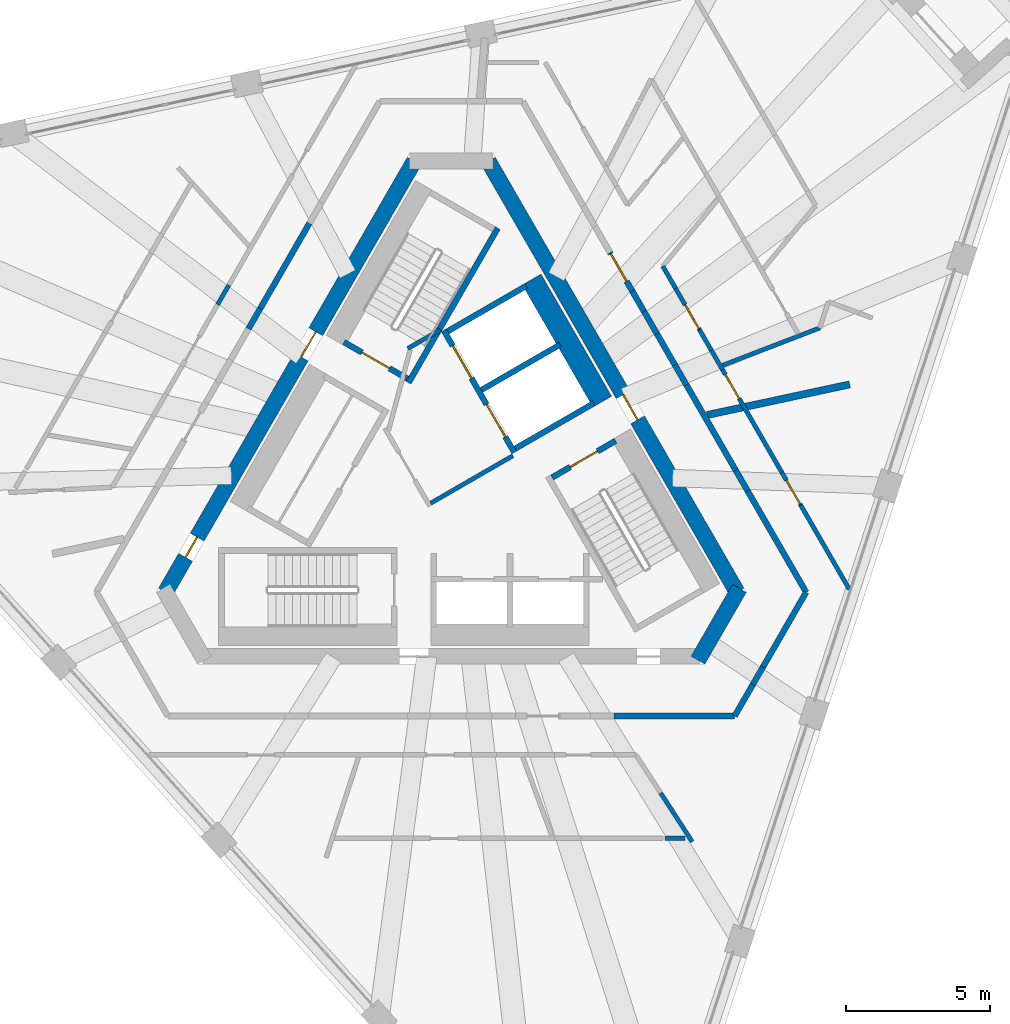
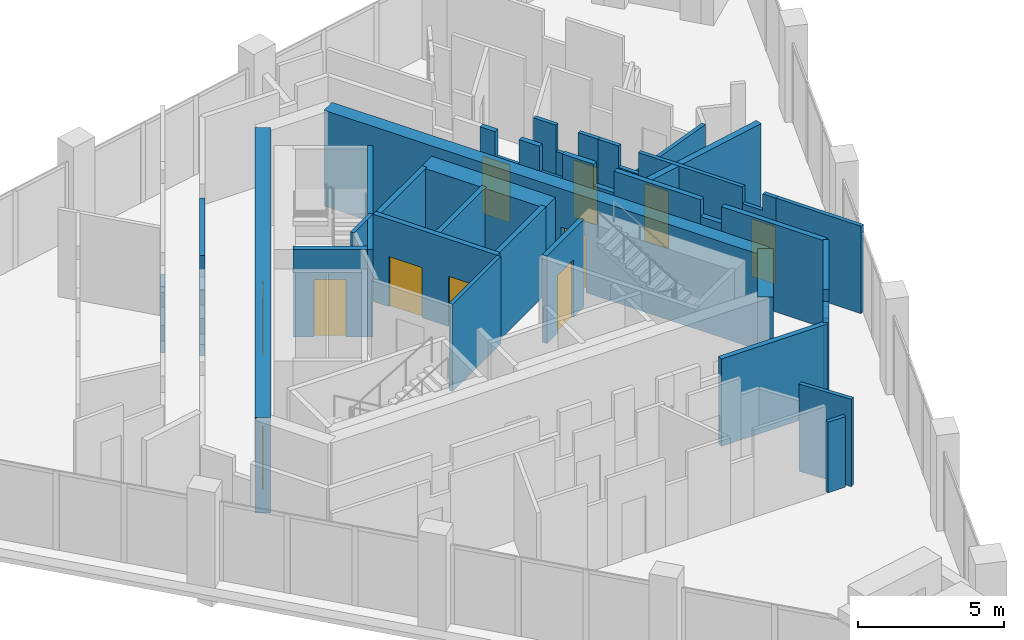
# One storey, part 12 of 17: 39 walls, 11 doors, 11 openings.
"""IFC4 building model written with IfcOpenShell, lengths in metres."""

from ifc_helpers import new_model, si_unit, direction, frame, frame_2d, origin, place, context, subcontext, project, spatial, polyline, rectangle, outline, extrude, material, layer, layer_set, type_object, element, fill, save


model = new_model("IFC4")

# Units and contexts
model_context = context("Model", 3, precision=1e-05, world=origin(), true_north=direction((0.0, 1.0)))
body_context = subcontext(model_context, "Body", "Model", "MODEL_VIEW")
ifc_project = project(units=[si_unit("LENGTHUNIT", "METRE"), si_unit("AREAUNIT", "SQUARE_METRE"), si_unit("VOLUMEUNIT", "CUBIC_METRE"), si_unit("PLANEANGLEUNIT", "RADIAN"), si_unit("MASSUNIT", "GRAM", prefix="KILO")], contexts=[model_context])

# Site, building, storey
site_placement = place(None, origin())
site = spatial("IfcSite", under=ifc_project, at=site_placement, CompositionType="ELEMENT")
building_placement = place(site_placement, origin())
building = spatial("IfcBuilding", under=site, at=building_placement, Name="Tramontana Tower", CompositionType="ELEMENT")
storey_placement = place(building_placement, frame((0.0, 0.0, 348.39990234375)))
storey = spatial("IfcBuildingStorey", under=building, at=storey_placement, Name="L80", CompositionType="ELEMENT", Elevation=348.39990234375)

# Wall, openings, doors
ifc_material_1 = material(Name="Concrete 70 MPa", Category="concrete")
ifc_layer_1 = layer(ifc_material_1, 0.550048828125)
ifc_layer_set_1 = layer_set([ifc_layer_1], Name="Core wall 550 70 MPa")
wall_type_1 = type_object("IfcWallType", Name="Core wall 550 70 MPa", PredefinedType="SHEAR", material=ifc_layer_set_1)
wall_1_placement = place(storey_placement, frame((-1.28466796875, 10.72509765625, 0.0), z_axis=(0.0, 0.0, 1.0), x_axis=(-0.499994590896, -0.86602852671, 0.0)))
wall_1 = element("IfcWall", 1, at=wall_1_placement, inside=storey, type_object=wall_type_1, Name="Core wall C1 L80", PredefinedType="SHEAR", context=body_context, shape_type="SweptSolid", body=[
    extrude(rectangle(XDim=17.291748046875, YDim=0.550048828125, at=frame_2d((8.64599609375, 0.0))), origin(), (0.0, 0.0, 1.0), 4.0),
])
opening_1_placement = place(wall_1_placement, frame((6.850830078125, 0.0, 0.0)))
opening_1 = element("IfcOpeningElement", 2, at=opening_1_placement, cuts=wall_1, Name="Opening RG1", PredefinedType="OPENING", context=body_context, shape_type="SweptSolid", body=[
    extrude(rectangle(XDim=1.0, YDim=2.39990234375, at=frame_2d((0.5, 1.199951171875))), frame((0.0, 0.284912109375, 0.0), z_axis=(0.0, -1.0, 0.0), x_axis=(1.0, 0.0, 0.0)), (0.0, 0.0, 1.0), 0.570068359375),
])
opening_2_placement = place(wall_1_placement, frame((15.0888671875, 0.0, 0.0)))
opening_2 = element("IfcOpeningElement", 3, at=opening_2_placement, cuts=wall_1, Name="Opening PD1", PredefinedType="OPENING", context=body_context, shape_type="SweptSolid", body=[
    extrude(rectangle(XDim=0.800048828125, YDim=2.10009765625, at=frame_2d((0.39990234375, 1.050048828125))), frame((0.0, 0.284912109375, 0.0), z_axis=(0.0, -1.0, 0.0), x_axis=(1.0, 0.0, 0.0)), (0.0, 0.0, 1.0), 0.570068359375),
])
ifc_material_2 = material(Name="Painted steel", Category="steel")
door_type_1 = type_object("IfcDoorType", Name="CUPBOARD DOOR 800", OperationType="SINGLE_SWING_LEFT", PredefinedType="DOOR", material=ifc_material_2)
door_1_placement = place(opening_2_placement, origin())
door_1 = element("IfcDoor", 4, at=door_1_placement, inside=storey, type_object=door_type_1, Name="Door PD1", OperationType="SINGLE_SWING_LEFT", OverallHeight=2.10009765625, OverallWidth=0.800048828125, PredefinedType="DOOR", context=body_context, shape_type="SweptSolid", body=[
    extrude(rectangle(XDim=0.800048828125, YDim=2.10009765625, at=frame_2d((0.39990234375, 1.050048828125))), frame((0.0, 0.02490234375, 0.0), z_axis=(0.0, -1.0, 0.0), x_axis=(1.0, 0.0, 0.0)), (0.0, 0.0, 1.0), 0.050048828125),
])
fill(opening_2, door_1)
ifc_material_3 = material(Name="Painted steel", Category="steel")
door_type_2 = type_object("IfcDoorType", Name="RING DOOR 1000", OperationType="SINGLE_SWING_LEFT", PredefinedType="DOOR", material=ifc_material_3)
door_2_placement = place(opening_1_placement, origin())
door_2 = element("IfcDoor", 5, at=door_2_placement, inside=storey, type_object=door_type_2, Name="Door RG1", OperationType="SINGLE_SWING_RIGHT", OverallHeight=2.39990234375, OverallWidth=1.0, PredefinedType="DOOR", context=body_context, shape_type="SweptSolid", body=[
    extrude(rectangle(XDim=1.0, YDim=2.39990234375, at=frame_2d((0.5, 1.199951171875))), frame((0.0, 0.02490234375, 0.0), z_axis=(0.0, -1.0, 0.0), x_axis=(1.0, 0.0, 0.0)), (0.0, 0.0, 1.0), 0.050048828125),
])
fill(opening_1, door_2)

# Wall
wall_2_placement = place(storey_placement, frame((8.56640625, -6.612548828125, 0.0), z_axis=(0.0, 0.0, 1.0), x_axis=(0.499995765644, 0.866027848477, 0.0)))
element("IfcWall", 6, at=wall_2_placement, inside=storey, type_object=wall_type_1, Name="Core wall C4 L80", PredefinedType="SHEAR", context=body_context, shape_type="SweptSolid", body=[
    extrude(rectangle(XDim=2.88671875, YDim=0.550048828125, at=frame_2d((1.443359375, 0.0))), origin(), (0.0, 0.0, 1.0), 4.0),
])

# Wall, opening, door
wall_3_placement = place(storey_placement, frame((9.930419921875, -4.25, 0.0), z_axis=(0.0, 0.0, 1.0), x_axis=(-0.499994590896, 0.86602852671, 0.0)))
wall_3 = element("IfcWall", 7, at=wall_3_placement, inside=storey, type_object=wall_type_1, Name="Core wall C5 L80", PredefinedType="SHEAR", context=body_context, shape_type="SweptSolid", body=[
    extrude(rectangle(XDim=17.291748046875, YDim=0.550048828125, at=frame_2d((8.64599609375, 0.0))), origin(), (0.0, 0.0, 1.0), 4.0),
])
opening_3_placement = place(wall_3_placement, frame((6.9208984375, 0.0, 0.0)))
opening_3 = element("IfcOpeningElement", 8, at=opening_3_placement, cuts=wall_3, Name="Opening RG3", PredefinedType="OPENING", context=body_context, shape_type="SweptSolid", body=[
    extrude(rectangle(XDim=1.0, YDim=2.39990234375, at=frame_2d((0.5, 1.199951171875))), frame((0.0, 0.284912109375, 0.0), z_axis=(0.0, -1.0, 0.0), x_axis=(1.0, 0.0, 0.0)), (0.0, 0.0, 1.0), 0.570068359375),
])
door_3_placement = place(opening_3_placement, origin())
door_3 = element("IfcDoor", 9, at=door_3_placement, inside=storey, type_object=door_type_2, Name="Door RG3", OperationType="SINGLE_SWING_RIGHT", OverallHeight=2.39990234375, OverallWidth=1.0, PredefinedType="DOOR", context=body_context, shape_type="SweptSolid", body=[
    extrude(rectangle(XDim=1.0, YDim=2.39990234375, at=frame_2d((0.5, 1.199951171875))), frame((0.0, 0.02490234375, 0.0), z_axis=(0.0, -1.0, 0.0), x_axis=(1.0, 0.0, 0.0)), (0.0, 0.0, 1.0), 0.050048828125),
])
fill(opening_3, door_3)

# Walls
ifc_material_4 = material(Name="Blockwork", Category="masonry")
ifc_layer_2 = layer(ifc_material_4, 0.199951171875)
ifc_layer_set_2 = layer_set([ifc_layer_2], Name="ENTRY WALL 200")
wall_type_2 = type_object("IfcWallType", Name="ENTRY WALL 200", PredefinedType="SOLIDWALL", material=ifc_layer_set_2)
wall_4_placement = place(storey_placement, frame((12.326416015625, -4.25, 0.0), z_axis=(0.0, 0.0, 1.0), x_axis=(-0.500003959331, -0.866023117852, 0.0)))
element("IfcWall", 10, at=wall_4_placement, inside=storey, type_object=wall_type_2, Name="Wall v82-ew0-0", PredefinedType="SOLIDWALL", context=body_context, shape_type="SweptSolid", body=[
    extrude(rectangle(XDim=3.0029296875, YDim=0.199951171875, at=frame_2d((1.50146484375, 0.0))), origin(), (0.0, 0.0, 1.0), 3.650146484375),
])
wall_5_placement = place(storey_placement, frame((10.824951171875, -6.8505859375, 0.0), z_axis=(0.0, 0.0, 1.0), x_axis=(-0.500144223137, -0.865942120504, 0.0)))
element("IfcWall", 11, at=wall_5_placement, inside=storey, type_object=wall_type_2, Name="Wall v82-ew0-1", PredefinedType="SOLIDWALL", context=body_context, shape_type="SweptSolid", body=[
    extrude(rectangle(XDim=0.701416015625, YDim=0.199951171875, at=frame_2d((0.3505859375, 0.0))), origin(), (0.0, 0.0, 1.0), 2.9501953125),
])
wall_6_placement = place(storey_placement, frame((10.47412109375, -7.4580078125, 0.0), z_axis=(0.0, 0.0, 1.0), x_axis=(-0.499929168788, -0.866066294342, 0.0)))
element("IfcWall", 12, at=wall_6_placement, inside=storey, type_object=wall_type_2, Name="Wall v82-ew0-2", PredefinedType="SOLIDWALL", context=body_context, shape_type="SweptSolid", body=[
    extrude(rectangle(XDim=1.260986328125, YDim=0.199951171875, at=frame_2d((0.63037109375, 0.0))), origin(), (0.0, 0.0, 1.0), 3.650146484375),
])
wall_7_placement = place(storey_placement, frame((9.84375, -8.550048828125, 0.0), z_axis=(0.0, 0.0, 1.0), x_axis=(-1.0, 0.0, 0.0)))
element("IfcWall", 13, at=wall_7_placement, inside=storey, type_object=wall_type_2, Name="Wall v82-ew1-0", PredefinedType="SOLIDWALL", context=body_context, shape_type="SweptSolid", body=[
    extrude(rectangle(XDim=4.1943359375, YDim=0.199951171875, at=frame_2d((2.09716796875, 0.0))), origin(), (0.0, 0.0, 1.0), 3.650146484375),
])
wall_8_placement = place(storey_placement, frame((-7.043701171875, 4.900146484375, 0.0), z_axis=(0.0, 0.0, 1.0), x_axis=(0.500141487433, 0.865943700565, 0.0)))
element("IfcWall", 14, at=wall_8_placement, inside=storey, type_object=wall_type_2, Name="Wall v82-ew3-7", PredefinedType="SOLIDWALL", context=body_context, shape_type="SweptSolid", body=[
    extrude(rectangle(XDim=0.806884765625, YDim=0.199951171875, at=frame_2d((0.4033203125, 0.0))), origin(), (0.0, 0.0, 1.0), 2.75),
])
wall_9_placement = place(storey_placement, frame((-6.64013671875, 5.598876953125, 0.0), z_axis=(0.0, 0.0, 1.0), x_axis=(0.499989998285, 0.8660311782, 0.0)))
element("IfcWall", 15, at=wall_9_placement, inside=storey, type_object=wall_type_2, Name="Wall v82-ew3-8", PredefinedType="SOLIDWALL", context=body_context, shape_type="SweptSolid", body=[
    extrude(rectangle(XDim=3.4228515625, YDim=0.199951171875, at=frame_2d((1.71142578125, 0.0))), origin(), (0.0, 0.0, 1.0), 3.650146484375),
])

# Wall, opening, door
wall_10_placement = place(storey_placement, frame((5.515380859375, 7.547119140625, 0.0), z_axis=(0.0, 0.0, 1.0), x_axis=(0.499986163319, -0.866033392248, 0.0)))
wall_10 = element("IfcWall", 16, at=wall_10_placement, inside=storey, type_object=wall_type_2, Name="Wall v82-ew5-3", PredefinedType="SOLIDWALL", context=body_context, shape_type="SweptSolid", body=[
    extrude(outline(polyline([(0.0, 0.0), (1.54931640625, 0.0), (1.549072265625, 2.550048828125), (0.605224609375, 2.550048828125), (0.605224609375, 3.650146484375), (0.0, 3.650146484375), (0.0, 0.0)])), frame((0.0, 0.10009765625, 0.0), z_axis=(0.0, -1.0, 0.0), x_axis=(1.0, 0.0, 0.0)), (0.0, 0.0, 1.0), 0.199951171875),
])
opening_4_placement = place(wall_10_placement, frame((0.050048828125, 0.0, 0.0)))
opening_4 = element("IfcOpeningElement", 17, at=opening_4_placement, cuts=wall_10, Name="Opening B8C-17", PredefinedType="OPENING", context=body_context, shape_type="SweptSolid", body=[
    extrude(rectangle(XDim=1.10009765625, YDim=2.39990234375, at=frame_2d((0.550048828125, 1.199951171875))), frame((0.0, 0.10986328125, 0.0), z_axis=(0.0, -1.0, 0.0), x_axis=(1.0, 0.0, 0.0)), (0.0, 0.0, 1.0), 0.219970703125),
])
ifc_material_5 = material(Name="Painted timber", Category="wood")
door_type_3 = type_object("IfcDoorType", Name="DOOR ENTRY 1100", OperationType="SINGLE_SWING_LEFT", PredefinedType="DOOR", material=ifc_material_5)
door_4_placement = place(opening_4_placement, origin())
door_4 = element("IfcDoor", 18, at=door_4_placement, inside=storey, type_object=door_type_3, Name="Door B8C-17", OperationType="SINGLE_SWING_LEFT", OverallHeight=2.39990234375, OverallWidth=1.10009765625, PredefinedType="DOOR", context=body_context, shape_type="SweptSolid", body=[
    extrude(rectangle(XDim=1.10009765625, YDim=2.39990234375, at=frame_2d((0.550048828125, 1.199951171875))), frame((0.0, 0.02490234375, 0.0), z_axis=(0.0, -1.0, 0.0), x_axis=(1.0, 0.0, 0.0)), (0.0, 0.0, 1.0), 0.050048828125),
])
fill(opening_4, door_4)

# Walls
wall_11_placement = place(storey_placement, frame((6.2900390625, 6.205322265625, 0.0), z_axis=(0.0, 0.0, 1.0), x_axis=(0.500045602705, -0.86599907345, 0.0)))
element("IfcWall", 19, at=wall_11_placement, inside=storey, type_object=wall_type_2, Name="Wall v82-ew5-4", PredefinedType="SOLIDWALL", context=body_context, shape_type="SweptSolid", body=[
    extrude(rectangle(XDim=0.806640625, YDim=0.199951171875, at=frame_2d((0.4033203125, 0.0))), origin(), (0.0, 0.0, 1.0), 3.650146484375),
])
wall_12_placement = place(storey_placement, frame((6.693359375, 5.5068359375, 0.0), z_axis=(0.0, 0.0, 1.0), x_axis=(0.499994660107, -0.866028486751, 0.0)))
element("IfcWall", 20, at=wall_12_placement, inside=storey, type_object=wall_type_2, Name="Wall v82-ew5-5", PredefinedType="SOLIDWALL", context=body_context, shape_type="SweptSolid", body=[
    extrude(rectangle(XDim=0.90576171875, YDim=0.199951171875, at=frame_2d((0.452880859375, 0.0))), origin(), (0.0, 0.0, 1.0), 2.550048828125),
])
wall_13_placement = place(storey_placement, frame((7.146240234375, 4.722412109375, 0.0), z_axis=(0.0, 0.0, 1.0), x_axis=(0.499955681623, -0.866050989499, 0.0)))
element("IfcWall", 21, at=wall_13_placement, inside=storey, type_object=wall_type_2, Name="Wall v82-ew5-6", PredefinedType="SOLIDWALL", context=body_context, shape_type="SweptSolid", body=[
    extrude(rectangle(XDim=1.23828125, YDim=0.199951171875, at=frame_2d((0.619140625, 0.0))), origin(), (0.0, 0.0, 1.0), 3.650146484375),
])
wall_14_placement = place(storey_placement, frame((7.765380859375, 3.64990234375, 0.0), z_axis=(0.0, 0.0, 1.0), x_axis=(0.500141487433, -0.865943700565, 0.0)))
element("IfcWall", 22, at=wall_14_placement, inside=storey, type_object=wall_type_2, Name="Wall v82-ew5-7", PredefinedType="SOLIDWALL", context=body_context, shape_type="SweptSolid", body=[
    extrude(rectangle(XDim=0.806884765625, YDim=0.199951171875, at=frame_2d((0.4033203125, 0.0))), origin(), (0.0, 0.0, 1.0), 2.75),
])
wall_15_placement = place(storey_placement, frame((8.1689453125, 2.951171875, 0.0), z_axis=(0.0, 0.0, 1.0), x_axis=(0.499959115548, -0.866049007147, 0.0)))
element("IfcWall", 23, at=wall_15_placement, inside=storey, type_object=wall_type_2, Name="Wall v82-ew5-8", PredefinedType="SOLIDWALL", context=body_context, shape_type="SweptSolid", body=[
    extrude(rectangle(XDim=3.423095703125, YDim=0.199951171875, at=frame_2d((1.71142578125, 0.0))), origin(), (0.0, 0.0, 1.0), 3.650146484375),
])
wall_16_placement = place(storey_placement, frame((9.88037109375, -0.013427734375, 0.0), z_axis=(0.0, 0.0, 1.0), x_axis=(0.499952654668, -0.866052736899, 0.0)))
element("IfcWall", 24, at=wall_16_placement, inside=storey, type_object=wall_type_2, Name="Wall v82-ew5-9", PredefinedType="SOLIDWALL", context=body_context, shape_type="SweptSolid", body=[
    extrude(rectangle(XDim=0.826171875, YDim=0.199951171875, at=frame_2d((0.4130859375, 0.0))), origin(), (0.0, 0.0, 1.0), 2.9501953125),
])
wall_17_placement = place(storey_placement, frame((10.29345703125, -0.72900390625, 0.0), z_axis=(0.0, 0.0, 1.0), x_axis=(0.50002046505, -0.86601358796, 0.0)))
element("IfcWall", 25, at=wall_17_placement, inside=storey, type_object=wall_type_2, Name="Wall v82-ew5-10", PredefinedType="SOLIDWALL", context=body_context, shape_type="SweptSolid", body=[
    extrude(rectangle(XDim=4.065673828125, YDim=0.199951171875, at=frame_2d((2.03271484375, 0.0))), origin(), (0.0, 0.0, 1.0), 3.650146484375),
])
ifc_material_6 = material(Name="Gypsum board partition")
ifc_layer_3 = layer(ifc_material_6, 0.14990234375)
ifc_layer_set_3 = layer_set([ifc_layer_3], Name="PARTITION 150")
wall_type_3 = type_object("IfcWallType", Name="PARTITION 150", PredefinedType="PARTITIONING", material=ifc_layer_set_3)
wall_18_placement = place(storey_placement, frame((-0.716796875, -1.15869140625, 0.0), z_axis=(0.0, 0.0, 1.0), x_axis=(0.866008176907, 0.50002983664, 0.0)))
element("IfcWall", 26, at=wall_18_placement, inside=storey, type_object=wall_type_3, Name="Wall ff-end0", PredefinedType="PARTITIONING", context=body_context, shape_type="SweptSolid", body=[
    extrude(rectangle(XDim=3.300048828125, YDim=0.14990234375, at=frame_2d((1.64990234375, 0.0))), origin(), (0.0, 0.0, 1.0), 3.650146484375),
])
wall_19_placement = place(storey_placement, frame((-1.509765625, 4.21484375, 0.0), z_axis=(0.0, 0.0, 1.0), x_axis=(0.866085525409, 0.49989585183, 0.0)))
element("IfcWall", 27, at=wall_19_placement, inside=storey, type_object=wall_type_3, Name="Wall ff-end1", PredefinedType="PARTITIONING", context=body_context, shape_type="SweptSolid", body=[
    extrude(rectangle(XDim=1.300048828125, YDim=0.14990234375, at=frame_2d((0.64990234375, 0.0))), origin(), (0.0, 0.0, 1.0), 3.650146484375),
])
wall_20_placement = place(storey_placement, frame((-8.11767578125, 5.73974609375, 0.0), z_axis=(0.0, 0.0, 1.0), x_axis=(0.500001804394, 0.866024362014, 0.0)))
element("IfcWall", 28, at=wall_20_placement, inside=storey, type_object=wall_type_3, Name="Wall v82-pw03-6", PredefinedType="PARTITIONING", context=body_context, shape_type="SweptSolid", body=[
    extrude(rectangle(XDim=0.78173828125, YDim=0.14990234375, at=frame_2d((0.390869140625, 0.0))), origin(), (0.0, 0.0, 1.0), 2.75),
])
wall_21_placement = place(storey_placement, frame((7.34716796875, 7.074462890625, 0.0), z_axis=(0.0, 0.0, 1.0), x_axis=(0.499944022619, -0.866057719929, 0.0)))
element("IfcWall", 29, at=wall_21_placement, inside=storey, type_object=wall_type_3, Name="Wall v82-pw17-0", PredefinedType="PARTITIONING", context=body_context, shape_type="SweptSolid", body=[
    extrude(rectangle(XDim=0.89013671875, YDim=0.14990234375, at=frame_2d((0.445068359375, 0.0))), origin(), (0.0, 0.0, 1.0), 3.650146484375),
])

# Wall, opening, door
wall_22_placement = place(storey_placement, frame((7.792236328125, 6.303466796875, 0.0), z_axis=(0.0, 0.0, 1.0), x_axis=(0.500027802648, -0.866009351323, 0.0)))
wall_22 = element("IfcWall", 30, at=wall_22_placement, inside=storey, type_object=wall_type_3, Name="Wall v82-pw17-1", PredefinedType="PARTITIONING", context=body_context, shape_type="SweptSolid", body=[
    extrude(outline(polyline([(0.0, 0.0), (1.6611328125, 0.0), (1.660888671875, 3.650146484375), (0.880615234375, 3.650146484375), (0.880615234375, 2.550048828125), (0.0, 2.550048828125), (0.0, 0.0)])), frame((0.0, 0.074951171875, 0.0), z_axis=(0.0, -1.0, 0.0), x_axis=(1.0, 0.0, 0.0)), (0.0, 0.0, 1.0), 0.14990234375),
])
opening_5_placement = place(wall_22_placement, frame((0.660888671875, 0.0, 0.0)))
opening_5 = element("IfcOpeningElement", 31, at=opening_5_placement, cuts=wall_22, Name="Opening B8C-08", PredefinedType="OPENING", context=body_context, shape_type="SweptSolid", body=[
    extrude(rectangle(XDim=0.949951171875, YDim=2.39990234375, at=frame_2d((0.47509765625, 1.199951171875))), frame((0.0, 0.0849609375, 0.0), z_axis=(0.0, -1.0, 0.0), x_axis=(1.0, 0.0, 0.0)), (0.0, 0.0, 1.0), 0.169921875),
])
ifc_material_7 = material(Name="Painted timber", Category="wood")
door_type_4 = type_object("IfcDoorType", Name="DOOR ROOM 950", OperationType="SINGLE_SWING_LEFT", PredefinedType="DOOR", material=ifc_material_7)
door_5_placement = place(opening_5_placement, origin())
door_5 = element("IfcDoor", 32, at=door_5_placement, inside=storey, type_object=door_type_4, Name="Door B8C-08", OperationType="SINGLE_SWING_RIGHT", OverallHeight=2.39990234375, OverallWidth=0.949951171875, PredefinedType="DOOR", context=body_context, shape_type="SweptSolid", body=[
    extrude(rectangle(XDim=0.949951171875, YDim=2.39990234375, at=frame_2d((0.47509765625, 1.199951171875))), frame((0.0, 0.02490234375, 0.0), z_axis=(0.0, -1.0, 0.0), x_axis=(1.0, 0.0, 0.0)), (0.0, 0.0, 1.0), 0.050048828125),
])
fill(opening_5, door_5)

# Walls
wall_23_placement = place(storey_placement, frame((8.622802734375, 4.864990234375, 0.0), z_axis=(0.0, 0.0, 1.0), x_axis=(0.500042693391, -0.866000753341, 0.0)))
element("IfcWall", 33, at=wall_23_placement, inside=storey, type_object=wall_type_3, Name="Wall v82-pw17-2", PredefinedType="PARTITIONING", context=body_context, shape_type="SweptSolid", body=[
    extrude(rectangle(XDim=0.81396484375, YDim=0.14990234375, at=frame_2d((0.406982421875, 0.0))), origin(), (0.0, 0.0, 1.0), 3.650146484375),
])
wall_24_placement = place(storey_placement, frame((9.02978515625, 4.16015625, 0.0), z_axis=(0.0, 0.0, 1.0), x_axis=(0.499767520639, -0.866159584207, 0.0)))
element("IfcWall", 34, at=wall_24_placement, inside=storey, type_object=wall_type_3, Name="Wall v82-pw17-3", PredefinedType="PARTITIONING", context=body_context, shape_type="SweptSolid", body=[
    extrude(rectangle(XDim=0.781494140625, YDim=0.14990234375, at=frame_2d((0.390625, 0.0))), origin(), (0.0, 0.0, 1.0), 2.75),
])

# Wall, opening, door
wall_25_placement = place(storey_placement, frame((9.42041015625, 3.483154296875, 0.0), z_axis=(0.0, 0.0, 1.0), x_axis=(0.50002680699, -0.866009926209, 0.0)))
wall_25 = element("IfcWall", 35, at=wall_25_placement, inside=storey, type_object=wall_type_3, Name="Wall v82-pw17-4", PredefinedType="PARTITIONING", context=body_context, shape_type="SweptSolid", body=[
    extrude(rectangle(XDim=4.119873046875, YDim=0.14990234375, at=frame_2d((2.06005859375, 0.0))), origin(), (0.0, 0.0, 1.0), 3.650146484375),
])
opening_6_placement = place(wall_25_placement, frame((0.20654296875, 0.0, 0.0)))
opening_6 = element("IfcOpeningElement", 36, at=opening_6_placement, cuts=wall_25, Name="Opening B8C-10", PredefinedType="OPENING", context=body_context, shape_type="SweptSolid", body=[
    extrude(rectangle(XDim=0.949951171875, YDim=2.39990234375, at=frame_2d((0.47509765625, 1.199951171875))), frame((0.0, 0.0849609375, 0.0), z_axis=(0.0, -1.0, 0.0), x_axis=(1.0, 0.0, 0.0)), (0.0, 0.0, 1.0), 0.169921875),
])
door_6_placement = place(opening_6_placement, origin())
door_6 = element("IfcDoor", 37, at=door_6_placement, inside=storey, type_object=door_type_4, Name="Door B8C-10", OperationType="SINGLE_SWING_RIGHT", OverallHeight=2.39990234375, OverallWidth=0.949951171875, PredefinedType="DOOR", context=body_context, shape_type="SweptSolid", body=[
    extrude(rectangle(XDim=0.949951171875, YDim=2.39990234375, at=frame_2d((0.47509765625, 1.199951171875))), frame((0.0, 0.02490234375, 0.0), z_axis=(0.0, -1.0, 0.0), x_axis=(1.0, 0.0, 0.0)), (0.0, 0.0, 1.0), 0.050048828125),
])
fill(opening_6, door_6)

wall_26_placement = place(storey_placement, frame((11.48046875, -0.084716796875, 0.0), z_axis=(0.0, 0.0, 1.0), x_axis=(0.499941428866, -0.866059217203, 0.0)))
wall_26 = element("IfcWall", 38, at=wall_26_placement, inside=storey, type_object=wall_type_3, Name="Wall v82-pw17-5", PredefinedType="PARTITIONING", context=body_context, shape_type="SweptSolid", body=[
    extrude(outline(polyline([(0.0, 0.0), (1.319091796875, 0.0), (1.319091796875, 3.650146484375), (0.796875, 3.650146484375), (0.796875, 2.9501953125), (0.0, 2.9501953125), (0.0, 0.0)])), frame((0.0, 0.074951171875, 0.0), z_axis=(0.0, -1.0, 0.0), x_axis=(1.0, 0.0, 0.0)), (0.0, 0.0, 1.0), 0.14990234375),
])
opening_7_placement = place(wall_26_placement, frame((0.319091796875, 0.0, 0.0)))
opening_7 = element("IfcOpeningElement", 39, at=opening_7_placement, cuts=wall_26, Name="Opening B8C-07", PredefinedType="OPENING", context=body_context, shape_type="SweptSolid", body=[
    extrude(rectangle(XDim=0.949951171875, YDim=2.39990234375, at=frame_2d((0.47509765625, 1.199951171875))), frame((0.0, 0.0849609375, 0.0), z_axis=(0.0, -1.0, 0.0), x_axis=(1.0, 0.0, 0.0)), (0.0, 0.0, 1.0), 0.169921875),
])
door_7_placement = place(opening_7_placement, origin())
door_7 = element("IfcDoor", 40, at=door_7_placement, inside=storey, type_object=door_type_4, Name="Door B8C-07", OperationType="SINGLE_SWING_LEFT", OverallHeight=2.39990234375, OverallWidth=0.949951171875, PredefinedType="DOOR", context=body_context, shape_type="SweptSolid", body=[
    extrude(rectangle(XDim=0.949951171875, YDim=2.39990234375, at=frame_2d((0.47509765625, 1.199951171875))), frame((0.0, 0.02490234375, 0.0), z_axis=(0.0, -1.0, 0.0), x_axis=(1.0, 0.0, 0.0)), (0.0, 0.0, 1.0), 0.050048828125),
])
fill(opening_7, door_7)

# Walls
wall_27_placement = place(storey_placement, frame((12.139892578125, -1.22705078125, 0.0), z_axis=(0.0, 0.0, 1.0), x_axis=(0.499979511309, -0.866037232612, 0.0)))
element("IfcWall", 41, at=wall_27_placement, inside=storey, type_object=wall_type_3, Name="Wall v82-pw17-6", PredefinedType="PARTITIONING", context=body_context, shape_type="SweptSolid", body=[
    extrude(rectangle(XDim=3.370849609375, YDim=0.14990234375, at=frame_2d((1.685546875, 0.0))), origin(), (0.0, 0.0, 1.0), 3.650146484375),
])
wall_28_placement = place(storey_placement, frame((8.121337890625, -12.800048828125, 0.0), z_axis=(0.0, 0.0, 1.0), x_axis=(-1.0, 0.0, 0.0)))
element("IfcWall", 42, at=wall_28_placement, inside=storey, type_object=wall_type_3, Name="Wall v82-pw20-0", PredefinedType="PARTITIONING", context=body_context, shape_type="SweptSolid", body=[
    extrude(rectangle(XDim=0.6953125, YDim=0.14990234375, at=frame_2d((0.34765625, 0.0))), origin(), (0.0, 0.0, 1.0), 2.9501953125),
])
wall_29_placement = place(storey_placement, frame((8.36865234375, -12.9150390625, 0.0), z_axis=(0.0, 0.0, 1.0), x_axis=(-0.543718462002, 0.839267677251, 0.0)))
element("IfcWall", 43, at=wall_29_placement, inside=storey, type_object=wall_type_3, Name="Wall v82-pw21-0", PredefinedType="PARTITIONING", context=body_context, shape_type="SweptSolid", body=[
    extrude(rectangle(XDim=2.0146484375, YDim=0.14990234375, at=frame_2d((1.00732421875, 0.0))), origin(), (0.0, 0.0, 1.0), 3.650146484375),
])
wall_30_placement = place(storey_placement, frame((12.7998046875, 4.93017578125, 0.0), z_axis=(0.0, 0.0, 1.0), x_axis=(-0.933173371739, -0.359426568685, 0.0)))
element("IfcWall", 44, at=wall_30_placement, inside=storey, type_object=wall_type_3, Name="Wall v82-pw26-0", PredefinedType="PARTITIONING", context=body_context, shape_type="SweptSolid", body=[
    extrude(rectangle(XDim=3.619140625, YDim=0.14990234375, at=frame_2d((1.8095703125, 0.0))), origin(), (0.0, 0.0, 1.0), 2.75),
])
ifc_material_8 = material(Name="Blockwork", Category="masonry")
ifc_layer_4 = layer(ifc_material_8, 0.25)
ifc_layer_set_4 = layer_set([ifc_layer_4], Name="PARTY WALL 250")
wall_type_4 = type_object("IfcWallType", Name="PARTY WALL 250", PredefinedType="SOLIDWALL", material=ifc_layer_set_4)
wall_31_placement = place(storey_placement, frame((8.887939453125, 1.906005859375, 0.0), z_axis=(0.0, 0.0, 1.0), x_axis=(0.977766421374, 0.209696984321, 0.0)))
element("IfcWall", 45, at=wall_31_placement, inside=storey, type_object=wall_type_4, Name="Wall v82-pw22", PredefinedType="SOLIDWALL", context=body_context, shape_type="SweptSolid", body=[
    extrude(rectangle(XDim=5.064453125, YDim=0.25, at=frame_2d((2.5322265625, 0.0))), origin(), (0.0, 0.0, 1.0), 3.650146484375),
])
ifc_material_9 = material(Name="Concrete 70 MPa", Category="concrete")
ifc_layer_5 = layer(ifc_material_9, 0.75)
ifc_layer_set_5 = layer_set([ifc_layer_5], Name="Concrete 70 MPa, 750 mm")
wall_type_5 = type_object("IfcWallType", Name="RC SHAFT BACK WALL 750", PredefinedType="SOLIDWALL", material=ifc_layer_set_5)
wall_32_placement = place(storey_placement, frame((5.242919921875, 2.368896484375, 0.0), z_axis=(0.0, 0.0, 1.0), x_axis=(-0.500002801628, 0.866023786258, 0.0)))
element("IfcWall", 46, at=wall_32_placement, inside=storey, type_object=wall_type_5, Name="Wall row2-back", PredefinedType="SOLIDWALL", context=body_context, shape_type="SweptSolid", body=[
    extrude(rectangle(XDim=4.89990234375, YDim=0.75, at=frame_2d((2.449951171875, 0.0))), origin(), (0.0, 0.0, 1.0), 3.650146484375),
])
ifc_material_10 = material(Name="Concrete 70 MPa", Category="concrete")
ifc_layer_6 = layer(ifc_material_10, 0.199951171875)
ifc_layer_set_6 = layer_set([ifc_layer_6], Name="Concrete 70 MPa, 200 mm")
wall_type_6 = type_object("IfcWallType", Name="RC STAIR AND SHAFT WALL 200", PredefinedType="SOLIDWALL", material=ifc_layer_set_6)
wall_33_placement = place(storey_placement, frame((1.615234375, 8.3974609375, 0.0), z_axis=(0.0, 0.0, 1.0), x_axis=(-0.500009909098, -0.866019682689, 0.0)))
element("IfcWall", 47, at=wall_33_placement, inside=storey, type_object=wall_type_6, Name="Wall st1-front", PredefinedType="SOLIDWALL", context=body_context, shape_type="SweptSolid", body=[
    extrude(rectangle(XDim=6.199951171875, YDim=0.199951171875, at=frame_2d((3.10009765625, 0.0))), origin(), (0.0, 0.0, 1.0), 3.650146484375),
])

# Wall, opening, door
wall_34_placement = place(storey_placement, frame((-1.521484375, 3.164794921875, 0.0), z_axis=(0.0, 0.0, 1.0), x_axis=(-0.866030925526, 0.499990435942, 0.0)))
wall_34 = element("IfcWall", 48, at=wall_34_placement, inside=storey, type_object=wall_type_6, Name="Wall st1-near", PredefinedType="SOLIDWALL", context=body_context, shape_type="SweptSolid", body=[
    extrude(rectangle(XDim=2.5498046875, YDim=0.199951171875, at=frame_2d((1.27490234375, 0.0))), origin(), (0.0, 0.0, 1.0), 3.650146484375),
])
opening_8_placement = place(wall_34_placement, frame((0.72509765625, 0.0, 0.0)))
opening_8 = element("IfcOpeningElement", 49, at=opening_8_placement, cuts=wall_34, Name="Opening SD1", PredefinedType="OPENING", context=body_context, shape_type="SweptSolid", body=[
    extrude(rectangle(XDim=1.10009765625, YDim=2.39990234375, at=frame_2d((0.550048828125, 1.199951171875))), frame((0.0, 0.10986328125, 0.0), z_axis=(0.0, -1.0, 0.0), x_axis=(1.0, 0.0, 0.0)), (0.0, 0.0, 1.0), 0.219970703125),
])
ifc_material_11 = material(Name="Painted steel", Category="steel")
door_type_5 = type_object("IfcDoorType", Name="STAIR DOOR 1100", OperationType="SINGLE_SWING_LEFT", PredefinedType="DOOR", material=ifc_material_11)
door_8_placement = place(opening_8_placement, origin())
door_8 = element("IfcDoor", 50, at=door_8_placement, inside=storey, type_object=door_type_5, Name="Door SD1", OperationType="SINGLE_SWING_RIGHT", OverallHeight=2.39990234375, OverallWidth=1.10009765625, PredefinedType="DOOR", context=body_context, shape_type="SweptSolid", body=[
    extrude(rectangle(XDim=1.10009765625, YDim=2.39990234375, at=frame_2d((0.550048828125, 1.199951171875))), frame((0.0, 0.02490234375, 0.0), z_axis=(0.0, -1.0, 0.0), x_axis=(1.0, 0.0, 0.0)), (0.0, 0.0, 1.0), 0.050048828125),
])
fill(opening_8, door_8)

wall_35_placement = place(storey_placement, frame((3.50146484375, -0.2646484375, 0.0), z_axis=(0.0, 0.0, 1.0), x_axis=(0.866030925526, 0.499990435942, 0.0)))
wall_35 = element("IfcWall", 51, at=wall_35_placement, inside=storey, type_object=wall_type_6, Name="Wall st3-near", PredefinedType="SOLIDWALL", context=body_context, shape_type="SweptSolid", body=[
    extrude(rectangle(XDim=2.5498046875, YDim=0.199951171875, at=frame_2d((1.27490234375, 0.0))), origin(), (0.0, 0.0, 1.0), 3.650146484375),
])
opening_9_placement = place(wall_35_placement, frame((0.72509765625, 0.0, 0.0)))
opening_9 = element("IfcOpeningElement", 52, at=opening_9_placement, cuts=wall_35, Name="Opening SD3", PredefinedType="OPENING", context=body_context, shape_type="SweptSolid", body=[
    extrude(rectangle(XDim=1.10009765625, YDim=2.39990234375, at=frame_2d((0.550048828125, 1.199951171875))), frame((0.0, 0.10986328125, 0.0), z_axis=(0.0, -1.0, 0.0), x_axis=(1.0, 0.0, 0.0)), (0.0, 0.0, 1.0), 0.219970703125),
])
door_9_placement = place(opening_9_placement, origin())
door_9 = element("IfcDoor", 53, at=door_9_placement, inside=storey, type_object=door_type_5, Name="Door SD3", OperationType="SINGLE_SWING_RIGHT", OverallHeight=2.39990234375, OverallWidth=1.10009765625, PredefinedType="DOOR", context=body_context, shape_type="SweptSolid", body=[
    extrude(rectangle(XDim=1.10009765625, YDim=2.39990234375, at=frame_2d((0.550048828125, 1.199951171875))), frame((0.0, 0.02490234375, 0.0), z_axis=(0.0, -1.0, 0.0), x_axis=(1.0, 0.0, 0.0)), (0.0, 0.0, 1.0), 0.050048828125),
])
fill(opening_9, door_9)

# Wall, openings, doors
wall_36_placement = place(storey_placement, frame((2.190185546875, 0.6064453125, 0.0), z_axis=(0.0, 0.0, 1.0), x_axis=(-0.500002801628, 0.866023786258, 0.0)))
wall_36 = element("IfcWall", 54, at=wall_36_placement, inside=storey, type_object=wall_type_6, Name="Wall row2-front", PredefinedType="SOLIDWALL", context=body_context, shape_type="SweptSolid", body=[
    extrude(rectangle(XDim=4.89990234375, YDim=0.199951171875, at=frame_2d((2.449951171875, 0.0))), origin(), (0.0, 0.0, 1.0), 3.650146484375),
])
opening_10_placement = place(wall_36_placement, frame((0.625, 0.0, 0.0)))
opening_10 = element("IfcOpeningElement", 55, at=opening_10_placement, cuts=wall_36, Name="Opening LD-F1", PredefinedType="OPENING", context=body_context, shape_type="SweptSolid", body=[
    extrude(rectangle(XDim=1.300048828125, YDim=2.10009765625, at=frame_2d((0.64990234375, 1.050048828125))), frame((0.0, 0.10986328125, 0.0), z_axis=(0.0, -1.0, 0.0), x_axis=(1.0, 0.0, 0.0)), (0.0, 0.0, 1.0), 0.219970703125),
])
opening_11_placement = place(wall_36_placement, frame((2.97509765625, 0.0, 0.0)))
opening_11 = element("IfcOpeningElement", 56, at=opening_11_placement, cuts=wall_36, Name="Opening LD-F2", PredefinedType="OPENING", context=body_context, shape_type="SweptSolid", body=[
    extrude(rectangle(XDim=1.300048828125, YDim=2.10009765625, at=frame_2d((0.64990234375, 1.050048828125))), frame((0.0, 0.10986328125, 0.0), z_axis=(0.0, -1.0, 0.0), x_axis=(1.0, 0.0, 0.0)), (0.0, 0.0, 1.0), 0.219970703125),
])
ifc_material_12 = material(Name="Brushed steel", Category="steel")
door_type_6 = type_object("IfcDoorType", Name="LANDING DOOR 1300", OperationType="SINGLE_SWING_LEFT", PredefinedType="DOOR", material=ifc_material_12)
door_10_placement = place(opening_10_placement, origin())
door_10 = element("IfcDoor", 57, at=door_10_placement, inside=storey, type_object=door_type_6, Name="Door LD-F1", OperationType="SLIDING_TO_LEFT", OverallHeight=2.10009765625, OverallWidth=1.300048828125, PredefinedType="DOOR", context=body_context, shape_type="SweptSolid", body=[
    extrude(rectangle(XDim=1.300048828125, YDim=2.10009765625, at=frame_2d((0.64990234375, 1.050048828125))), frame((0.0, 0.02490234375, 0.0), z_axis=(0.0, -1.0, 0.0), x_axis=(1.0, 0.0, 0.0)), (0.0, 0.0, 1.0), 0.050048828125),
])
fill(opening_10, door_10)
door_11_placement = place(opening_11_placement, origin())
door_11 = element("IfcDoor", 58, at=door_11_placement, inside=storey, type_object=door_type_6, Name="Door LD-F2", OperationType="SLIDING_TO_RIGHT", OverallHeight=2.10009765625, OverallWidth=1.300048828125, PredefinedType="DOOR", context=body_context, shape_type="SweptSolid", body=[
    extrude(rectangle(XDim=1.300048828125, YDim=2.10009765625, at=frame_2d((0.64990234375, 1.050048828125))), frame((0.0, 0.02490234375, 0.0), z_axis=(0.0, -1.0, 0.0), x_axis=(1.0, 0.0, 0.0)), (0.0, 0.0, 1.0), 0.050048828125),
])
fill(opening_11, door_11)

# Walls
for number, where, z_axis, x_axis, name in (
    (59, (2.226806640625, 0.742919921875, 0.0), (0.0, 0.0, 1.0), (0.866035871367, 0.499981869177, 0.0), "Wall row2-side0"),
    (60, (1.0517578125, 2.778076171875, 0.0), (0.0, 0.0, 1.0), (0.866035871367, 0.499981869177, 0.0), "Wall row2-side1"),
    (61, (-0.123046875, 4.813232421875, 0.0), (0.0, 0.0, 1.0), (0.866016494683, 0.500015430699, 0.0), "Wall row2-side2"),
):
    element("IfcWall", number, at=place(storey_placement, frame(where, z_axis=z_axis, x_axis=x_axis)), inside=storey, type_object=wall_type_6, Name=name, PredefinedType="SOLIDWALL", context=body_context, shape_type="SweptSolid", body=[
        extrude(rectangle(XDim=3.14990234375, YDim=0.199951171875, at=frame_2d((1.574951171875, 0.0))), origin(), (0.0, 0.0, 1.0), 3.650146484375),
    ])

save(model, "model.ifc")
